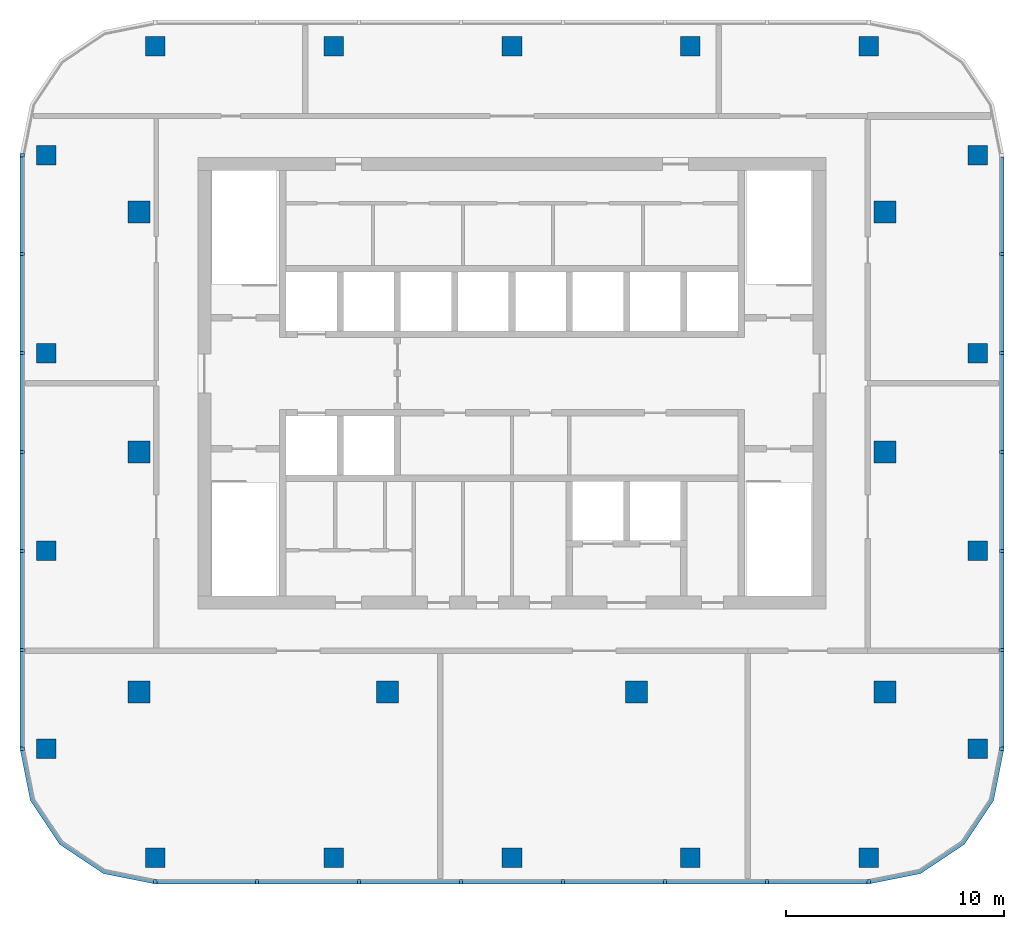
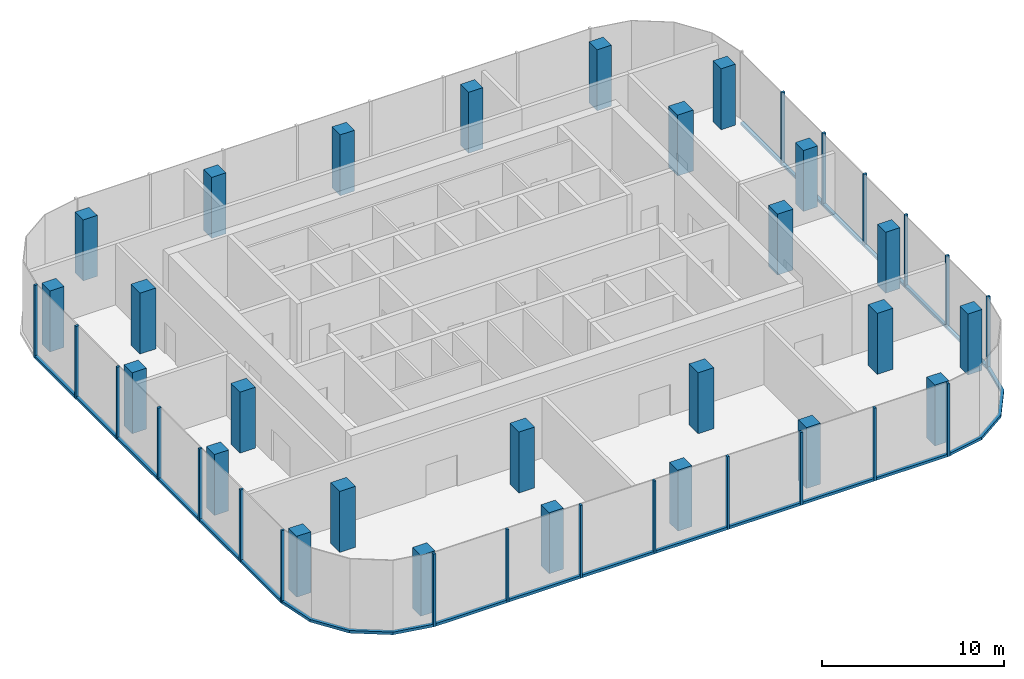
# One storey, part 1 of 6: 42 members, 26 columns, 5 elements without a shape of their own.
"""IFC4 building model written with IfcOpenShell, lengths in metres."""

from ifc_helpers import new_model, si_unit, direction, frame, origin, origin_2d, place, context, subcontext, project, spatial, polyline, rectangle, outline, extrude, material, material_profile, profile_set, type_object, element, aggregate, save


model = new_model("IFC4")

# Units and contexts
model_context = context("Model", 3, precision=1e-05, world=origin(), true_north=direction((0.0, 1.0)))
body_context = subcontext(model_context, "Body", "Model", "MODEL_VIEW")
ifc_project = project(units=[si_unit("LENGTHUNIT", "METRE"), si_unit("AREAUNIT", "SQUARE_METRE"), si_unit("VOLUMEUNIT", "CUBIC_METRE"), si_unit("PLANEANGLEUNIT", "RADIAN"), si_unit("MASSUNIT", "GRAM", prefix="KILO")], contexts=[model_context])

# Site, building, storey
site_placement = place(None, origin())
site = spatial("IfcSite", under=ifc_project, at=site_placement, CompositionType="ELEMENT")
building_placement = place(site_placement, origin())
building = spatial("IfcBuilding", under=site, at=building_placement, Name="Mopane Tessera Tower", CompositionType="ELEMENT")
storey_placement = place(building_placement, frame((0.0, 0.0, 357.39990234375)))
storey = spatial("IfcBuildingStorey", under=building, at=storey_placement, Name="Roof plant", CompositionType="ELEMENT", Elevation=357.39990234375)

# Columns
ifc_material_1 = material(Name="Concrete C40/50", Category="concrete")
ifc_material_profile_1 = material_profile(ifc_material_1, rectangle(XDim=1.0, YDim=1.0, at=origin_2d()))
ifc_profile_set_1 = profile_set([ifc_material_profile_1], Name="Concrete C40/50")
column_type_1 = type_object("IfcColumnType", Name="Interior column 1000 x 1000 C40/50", PredefinedType="COLUMN", material=ifc_profile_set_1)
for number, where, z_axis, x_axis, name in (
    (1, (-17.10009765625, -11.0, 0.0), (0.0, 0.0, 1.0), (1.0, 0.0, 0.0), "Interior column I1A Roof plant"),
    (2, (-17.10009765625, 0.0, 0.0), (0.0, 0.0, 1.0), (1.0, 0.0, 0.0), "Interior column I1B Roof plant"),
    (3, (-17.10009765625, 11.0, 0.0), (0.0, 0.0, 1.0), (1.0, 0.0, 0.0), "Interior column I1C Roof plant"),
    (4, (-5.699951171875, -11.0, 0.0), (0.0, 0.0, 1.0), (1.0, 0.0, 0.0), "Interior column I2A Roof plant"),
    (5, (5.699951171875, -11.0, 0.0), (0.0, 0.0, 1.0), (1.0, 0.0, 0.0), "Interior column I3A Roof plant"),
    (6, (17.10009765625, -11.0, 0.0), (0.0, 0.0, 1.0), (1.0, 0.0, 0.0), "Interior column I4A Roof plant"),
    (7, (17.10009765625, 0.0, 0.0), (0.0, 0.0, 1.0), (1.0, 0.0, 0.0), "Interior column I4B Roof plant"),
    (8, (17.10009765625, 11.0, 0.0), (0.0, 0.0, 1.0), (1.0, 0.0, 0.0), "Interior column I4C Roof plant"),
):
    element("IfcColumn", number, at=place(storey_placement, frame(where, z_axis=z_axis, x_axis=x_axis)), inside=storey, type_object=column_type_1, Name=name, PredefinedType="COLUMN", context=body_context, shape_type="SweptSolid", body=[
        extrude(rectangle(XDim=1.0, YDim=1.0, at=origin_2d()), origin(), (0.0, 0.0, 1.0), 4.10009765625),
    ])
ifc_material_2 = material(Name="Concrete C40/50", Category="concrete")
ifc_material_profile_2 = material_profile(ifc_material_2, rectangle(XDim=0.89990234375, YDim=0.89990234375, at=origin_2d()))
ifc_profile_set_2 = profile_set([ifc_material_profile_2], Name="Concrete C40/50")
column_type_2 = type_object("IfcColumnType", Name="Ring column 900 x 900 C40/50", PredefinedType="COLUMN", material=ifc_profile_set_2)
for number, where, z_axis, x_axis, name in (
    (9, (-16.35009765625, -18.60009765625, 0.0), (0.0, 0.0, 1.0), (1.0, 0.0, 0.0), "Ring column S0 Roof plant"),
    (10, (-8.175048828125, -18.60009765625, 0.0), (0.0, 0.0, 1.0), (1.0, 0.0, 0.0), "Ring column S1 Roof plant"),
    (11, (0.0, -18.60009765625, 0.0), (0.0, 0.0, 1.0), (1.0, 0.0, 0.0), "Ring column S2 Roof plant"),
    (12, (8.175048828125, -18.60009765625, 0.0), (0.0, 0.0, 1.0), (1.0, 0.0, 0.0), "Ring column S3 Roof plant"),
    (13, (16.35009765625, -18.60009765625, 0.0), (0.0, 0.0, 1.0), (1.0, 0.0, 0.0), "Ring column S4 Roof plant"),
    (14, (21.35009765625, -13.60009765625, 0.0), (0.0, 0.0, 1.0), (1.0, 0.0, 0.0), "Ring column E0 Roof plant"),
    (15, (21.35009765625, -4.533447265625, 0.0), (0.0, 0.0, 1.0), (1.0, 0.0, 0.0), "Ring column E1 Roof plant"),
    (16, (21.35009765625, 4.533447265625, 0.0), (0.0, 0.0, 1.0), (1.0, 0.0, 0.0), "Ring column E2 Roof plant"),
    (17, (21.35009765625, 13.60009765625, 0.0), (0.0, 0.0, 1.0), (1.0, 0.0, 0.0), "Ring column E3 Roof plant"),
    (18, (16.35009765625, 18.60009765625, 0.0), (0.0, 0.0, 1.0), (1.0, 0.0, 0.0), "Ring column N0 Roof plant"),
    (19, (8.175048828125, 18.60009765625, 0.0), (0.0, 0.0, 1.0), (1.0, 0.0, 0.0), "Ring column N1 Roof plant"),
    (20, (0.0, 18.60009765625, 0.0), (0.0, 0.0, 1.0), (1.0, 0.0, 0.0), "Ring column N2 Roof plant"),
    (21, (-8.175048828125, 18.60009765625, 0.0), (0.0, 0.0, 1.0), (1.0, 0.0, 0.0), "Ring column N3 Roof plant"),
    (22, (-16.35009765625, 18.60009765625, 0.0), (0.0, 0.0, 1.0), (1.0, 0.0, 0.0), "Ring column N4 Roof plant"),
    (23, (-21.35009765625, 13.60009765625, 0.0), (0.0, 0.0, 1.0), (1.0, 0.0, 0.0), "Ring column W0 Roof plant"),
    (24, (-21.35009765625, 4.533447265625, 0.0), (0.0, 0.0, 1.0), (1.0, 0.0, 0.0), "Ring column W1 Roof plant"),
    (25, (-21.35009765625, -4.533447265625, 0.0), (0.0, 0.0, 1.0), (1.0, 0.0, 0.0), "Ring column W2 Roof plant"),
    (26, (-21.35009765625, -13.60009765625, 0.0), (0.0, 0.0, 1.0), (1.0, 0.0, 0.0), "Ring column W3 Roof plant"),
):
    element("IfcColumn", number, at=place(storey_placement, frame(where, z_axis=z_axis, x_axis=x_axis)), inside=storey, type_object=column_type_2, Name=name, PredefinedType="COLUMN", context=body_context, shape_type="SweptSolid", body=[
        extrude(rectangle(XDim=0.89990234375, YDim=0.89990234375, at=origin_2d()), origin(), (0.0, 0.0, 1.0), 4.10009765625),
    ])

# Curtain wall, members
ifc_material_3 = material(Name="Aluminium frame", Category="aluminium")
curtain_wall_type = type_object("IfcCurtainWallType", Name="Plant floor unitised wall", PredefinedType="NOTDEFINED", material=ifc_material_3)
curtain_wall_1_placement = place(storey_placement, origin())
curtain_wall_1 = element("IfcCurtainWall", 27, at=curtain_wall_1_placement, inside=storey, type_object=curtain_wall_type, Name="e:cw:Roof plant:S:0", PredefinedType="NOTDEFINED")
ifc_material_4 = material(Name="Aluminium frame", Category="aluminium")
ifc_material_profile_3 = material_profile(ifc_material_4, rectangle(XDim=0.139892578125, YDim=0.199951171875, at=origin_2d()))
ifc_profile_set_3 = profile_set([ifc_material_profile_3], Name="Aluminium frame")
member_type_1 = type_object("IfcMemberType", Name="Aluminium mullion 140 x 200", PredefinedType="MULLION", material=ifc_profile_set_3)
member_1_placement = place(storey_placement, frame((-16.35009765625, -19.699951171875, -0.39990234375), z_axis=(0.0, 0.0, 1.0), x_axis=(1.0, 0.0, 0.0)))
member_1 = element("IfcMember", 28, at=member_1_placement, type_object=member_type_1, Name="e:cw:Roof plant:S:0:mu0", PredefinedType="MULLION", context=body_context, shape_type="SweptSolid", body=[
    extrude(rectangle(XDim=0.139892578125, YDim=0.199951171875, at=origin_2d()), origin(), (0.0, 0.0, 1.0), 4.89990234375),
])
member_2_placement = place(storey_placement, frame((-11.678466796875, -19.699951171875, -0.39990234375), z_axis=(0.0, 0.0, 1.0), x_axis=(1.0, 0.0, 0.0)))
member_2 = element("IfcMember", 29, at=member_2_placement, type_object=member_type_1, Name="e:cw:Roof plant:S:0:mu1", PredefinedType="MULLION", context=body_context, shape_type="SweptSolid", body=[
    extrude(rectangle(XDim=0.139892578125, YDim=0.199951171875, at=origin_2d()), origin(), (0.0, 0.0, 1.0), 4.89990234375),
])
member_3_placement = place(storey_placement, frame((-7.007080078125, -19.699951171875, -0.39990234375), z_axis=(0.0, 0.0, 1.0), x_axis=(1.0, 0.0, 0.0)))
member_3 = element("IfcMember", 30, at=member_3_placement, type_object=member_type_1, Name="e:cw:Roof plant:S:0:mu2", PredefinedType="MULLION", context=body_context, shape_type="SweptSolid", body=[
    extrude(rectangle(XDim=0.139892578125, YDim=0.199951171875, at=origin_2d()), origin(), (0.0, 0.0, 1.0), 4.89990234375),
])
member_4_placement = place(storey_placement, frame((-2.335693359375, -19.699951171875, -0.39990234375), z_axis=(0.0, 0.0, 1.0), x_axis=(1.0, 0.0, 0.0)))
member_4 = element("IfcMember", 31, at=member_4_placement, type_object=member_type_1, Name="e:cw:Roof plant:S:0:mu3", PredefinedType="MULLION", context=body_context, shape_type="SweptSolid", body=[
    extrude(rectangle(XDim=0.139892578125, YDim=0.199951171875, at=origin_2d()), origin(), (0.0, 0.0, 1.0), 4.89990234375),
])
member_5_placement = place(storey_placement, frame((2.335693359375, -19.699951171875, -0.39990234375), z_axis=(0.0, 0.0, 1.0), x_axis=(1.0, 0.0, 0.0)))
member_5 = element("IfcMember", 32, at=member_5_placement, type_object=member_type_1, Name="e:cw:Roof plant:S:0:mu4", PredefinedType="MULLION", context=body_context, shape_type="SweptSolid", body=[
    extrude(rectangle(XDim=0.139892578125, YDim=0.199951171875, at=origin_2d()), origin(), (0.0, 0.0, 1.0), 4.89990234375),
])
member_6_placement = place(storey_placement, frame((7.007080078125, -19.699951171875, -0.39990234375), z_axis=(0.0, 0.0, 1.0), x_axis=(1.0, 0.0, 0.0)))
member_6 = element("IfcMember", 33, at=member_6_placement, type_object=member_type_1, Name="e:cw:Roof plant:S:0:mu5", PredefinedType="MULLION", context=body_context, shape_type="SweptSolid", body=[
    extrude(rectangle(XDim=0.139892578125, YDim=0.199951171875, at=origin_2d()), origin(), (0.0, 0.0, 1.0), 4.89990234375),
])
member_7_placement = place(storey_placement, frame((11.678466796875, -19.699951171875, -0.39990234375), z_axis=(0.0, 0.0, 1.0), x_axis=(1.0, 0.0, 0.0)))
member_7 = element("IfcMember", 34, at=member_7_placement, type_object=member_type_1, Name="e:cw:Roof plant:S:0:mu6", PredefinedType="MULLION", context=body_context, shape_type="SweptSolid", body=[
    extrude(rectangle(XDim=0.139892578125, YDim=0.199951171875, at=origin_2d()), origin(), (0.0, 0.0, 1.0), 4.89990234375),
])
member_8_placement = place(storey_placement, frame((16.35009765625, -19.699951171875, -0.39990234375), z_axis=(0.0, 0.0, 1.0), x_axis=(1.0, 0.0, 0.0)))
member_8 = element("IfcMember", 35, at=member_8_placement, type_object=member_type_1, Name="e:cw:Roof plant:S:0:mu7", PredefinedType="MULLION", context=body_context, shape_type="SweptSolid", body=[
    extrude(rectangle(XDim=0.139892578125, YDim=0.199951171875, at=origin_2d()), origin(), (0.0, 0.0, 1.0), 4.89990234375),
])

curtain_wall_2_placement = place(storey_placement, origin())
curtain_wall_2 = element("IfcCurtainWall", 36, at=curtain_wall_2_placement, inside=storey, type_object=curtain_wall_type, Name="e:cw:Roof plant:E:0", PredefinedType="NOTDEFINED")
member_9_placement = place(storey_placement, frame((22.449951171875, -13.60009765625, -0.39990234375), z_axis=(0.0, 0.0, 1.0), x_axis=(0.0, 1.0, 0.0)))
member_9 = element("IfcMember", 37, at=member_9_placement, type_object=member_type_1, Name="e:cw:Roof plant:E:0:mu0", PredefinedType="MULLION", context=body_context, shape_type="SweptSolid", body=[
    extrude(rectangle(XDim=0.139892578125, YDim=0.199951171875, at=origin_2d()), origin(), (0.0, 0.0, 1.0), 4.89990234375),
])
member_10_placement = place(storey_placement, frame((22.449951171875, -9.066650390625, -0.39990234375), z_axis=(0.0, 0.0, 1.0), x_axis=(0.0, 1.0, 0.0)))
member_10 = element("IfcMember", 38, at=member_10_placement, type_object=member_type_1, Name="e:cw:Roof plant:E:0:mu1", PredefinedType="MULLION", context=body_context, shape_type="SweptSolid", body=[
    extrude(rectangle(XDim=0.139892578125, YDim=0.199951171875, at=origin_2d()), origin(), (0.0, 0.0, 1.0), 4.89990234375),
])
member_11_placement = place(storey_placement, frame((22.449951171875, -4.533447265625, -0.39990234375), z_axis=(0.0, 0.0, 1.0), x_axis=(0.0, 1.0, 0.0)))
member_11 = element("IfcMember", 39, at=member_11_placement, type_object=member_type_1, Name="e:cw:Roof plant:E:0:mu2", PredefinedType="MULLION", context=body_context, shape_type="SweptSolid", body=[
    extrude(rectangle(XDim=0.139892578125, YDim=0.199951171875, at=origin_2d()), origin(), (0.0, 0.0, 1.0), 4.89990234375),
])
member_12_placement = place(storey_placement, frame((22.449951171875, 0.0, -0.39990234375), z_axis=(0.0, 0.0, 1.0), x_axis=(0.0, 1.0, 0.0)))
member_12 = element("IfcMember", 40, at=member_12_placement, type_object=member_type_1, Name="e:cw:Roof plant:E:0:mu3", PredefinedType="MULLION", context=body_context, shape_type="SweptSolid", body=[
    extrude(rectangle(XDim=0.139892578125, YDim=0.199951171875, at=origin_2d()), origin(), (0.0, 0.0, 1.0), 4.89990234375),
])
member_13_placement = place(storey_placement, frame((22.449951171875, 4.533447265625, -0.39990234375), z_axis=(0.0, 0.0, 1.0), x_axis=(0.0, 1.0, 0.0)))
member_13 = element("IfcMember", 41, at=member_13_placement, type_object=member_type_1, Name="e:cw:Roof plant:E:0:mu4", PredefinedType="MULLION", context=body_context, shape_type="SweptSolid", body=[
    extrude(rectangle(XDim=0.139892578125, YDim=0.199951171875, at=origin_2d()), origin(), (0.0, 0.0, 1.0), 4.89990234375),
])
member_14_placement = place(storey_placement, frame((22.449951171875, 9.066650390625, -0.39990234375), z_axis=(0.0, 0.0, 1.0), x_axis=(0.0, 1.0, 0.0)))
member_14 = element("IfcMember", 42, at=member_14_placement, type_object=member_type_1, Name="e:cw:Roof plant:E:0:mu5", PredefinedType="MULLION", context=body_context, shape_type="SweptSolid", body=[
    extrude(rectangle(XDim=0.139892578125, YDim=0.199951171875, at=origin_2d()), origin(), (0.0, 0.0, 1.0), 4.89990234375),
])

curtain_wall_3_placement = place(storey_placement, origin())
curtain_wall_3 = element("IfcCurtainWall", 43, at=curtain_wall_3_placement, inside=storey, type_object=curtain_wall_type, Name="e:cw:Roof plant:W:0", PredefinedType="NOTDEFINED")
member_15_placement = place(storey_placement, frame((-22.449951171875, 13.60009765625, -0.39990234375), z_axis=(0.0, 0.0, 1.0), x_axis=(0.0, -1.0, 0.0)))
member_15 = element("IfcMember", 44, at=member_15_placement, type_object=member_type_1, Name="e:cw:Roof plant:W:0:mu0", PredefinedType="MULLION", context=body_context, shape_type="SweptSolid", body=[
    extrude(rectangle(XDim=0.139892578125, YDim=0.199951171875, at=origin_2d()), origin(), (0.0, 0.0, 1.0), 4.89990234375),
])
member_16_placement = place(storey_placement, frame((-22.449951171875, 9.066650390625, -0.39990234375), z_axis=(0.0, 0.0, 1.0), x_axis=(0.0, -1.0, 0.0)))
member_16 = element("IfcMember", 45, at=member_16_placement, type_object=member_type_1, Name="e:cw:Roof plant:W:0:mu1", PredefinedType="MULLION", context=body_context, shape_type="SweptSolid", body=[
    extrude(rectangle(XDim=0.139892578125, YDim=0.199951171875, at=origin_2d()), origin(), (0.0, 0.0, 1.0), 4.89990234375),
])
member_17_placement = place(storey_placement, frame((-22.449951171875, 4.533447265625, -0.39990234375), z_axis=(0.0, 0.0, 1.0), x_axis=(0.0, -1.0, 0.0)))
member_17 = element("IfcMember", 46, at=member_17_placement, type_object=member_type_1, Name="e:cw:Roof plant:W:0:mu2", PredefinedType="MULLION", context=body_context, shape_type="SweptSolid", body=[
    extrude(rectangle(XDim=0.139892578125, YDim=0.199951171875, at=origin_2d()), origin(), (0.0, 0.0, 1.0), 4.89990234375),
])
member_18_placement = place(storey_placement, frame((-22.449951171875, 0.0, -0.39990234375), z_axis=(0.0, 0.0, 1.0), x_axis=(0.0, -1.0, 0.0)))
member_18 = element("IfcMember", 47, at=member_18_placement, type_object=member_type_1, Name="e:cw:Roof plant:W:0:mu3", PredefinedType="MULLION", context=body_context, shape_type="SweptSolid", body=[
    extrude(rectangle(XDim=0.139892578125, YDim=0.199951171875, at=origin_2d()), origin(), (0.0, 0.0, 1.0), 4.89990234375),
])
member_19_placement = place(storey_placement, frame((-22.449951171875, -4.533447265625, -0.39990234375), z_axis=(0.0, 0.0, 1.0), x_axis=(0.0, -1.0, 0.0)))
member_19 = element("IfcMember", 48, at=member_19_placement, type_object=member_type_1, Name="e:cw:Roof plant:W:0:mu4", PredefinedType="MULLION", context=body_context, shape_type="SweptSolid", body=[
    extrude(rectangle(XDim=0.139892578125, YDim=0.199951171875, at=origin_2d()), origin(), (0.0, 0.0, 1.0), 4.89990234375),
])
member_20_placement = place(storey_placement, frame((-22.449951171875, -9.066650390625, -0.39990234375), z_axis=(0.0, 0.0, 1.0), x_axis=(0.0, -1.0, 0.0)))
member_20 = element("IfcMember", 49, at=member_20_placement, type_object=member_type_1, Name="e:cw:Roof plant:W:0:mu5", PredefinedType="MULLION", context=body_context, shape_type="SweptSolid", body=[
    extrude(rectangle(XDim=0.139892578125, YDim=0.199951171875, at=origin_2d()), origin(), (0.0, 0.0, 1.0), 4.89990234375),
])
member_21_placement = place(storey_placement, frame((-22.449951171875, -13.60009765625, -0.39990234375), z_axis=(0.0, 0.0, 1.0), x_axis=(0.0, -1.0, 0.0)))
member_21 = element("IfcMember", 50, at=member_21_placement, type_object=member_type_1, Name="e:cw:Roof plant:W:0:mu6", PredefinedType="MULLION", context=body_context, shape_type="SweptSolid", body=[
    extrude(rectangle(XDim=0.139892578125, YDim=0.199951171875, at=origin_2d()), origin(), (0.0, 0.0, 1.0), 4.89990234375),
])

# Member
ifc_material_5 = material(Name="Aluminium frame", Category="aluminium")
ifc_material_profile_4 = material_profile(ifc_material_5, rectangle(XDim=0.199951171875, YDim=0.179931640625, at=origin_2d()))
ifc_profile_set_4 = profile_set([ifc_material_profile_4], Name="Aluminium frame")
member_type_2 = type_object("IfcMemberType", Name="Aluminium transom 200 x 180", PredefinedType="USERDEFINED", material=ifc_profile_set_4)
member_22_placement = place(storey_placement, frame((-16.280029296875, -19.699951171875, -0.309814453125), z_axis=(1.0, 0.0, 0.0), x_axis=(0.0, 1.0, 0.0)))
member_22 = element("IfcMember", 51, at=member_22_placement, type_object=member_type_2, Name="e:cw:Roof plant:S:0:tr0", ObjectType="TRANSOM", PredefinedType="USERDEFINED", context=body_context, shape_type="SweptSolid", body=[
    extrude(rectangle(XDim=0.199951171875, YDim=0.179931640625, at=origin_2d()), origin(), (0.0, 0.0, 1.0), 4.531494140625),
])

member_23_placement = place(storey_placement, frame((-11.608642578125, -19.699951171875, -0.309814453125), z_axis=(1.0, 0.0, 0.0), x_axis=(0.0, 1.0, 0.0)))
member_23 = element("IfcMember", 52, at=member_23_placement, type_object=member_type_2, Name="e:cw:Roof plant:S:0:tr1", ObjectType="TRANSOM", PredefinedType="USERDEFINED", context=body_context, shape_type="SweptSolid", body=[
    extrude(rectangle(XDim=0.199951171875, YDim=0.179931640625, at=origin_2d()), origin(), (0.0, 0.0, 1.0), 4.531494140625),
])

member_24_placement = place(storey_placement, frame((-6.937255859375, -19.699951171875, -0.309814453125), z_axis=(1.0, 0.0, 0.0), x_axis=(0.0, 1.0, 0.0)))
member_24 = element("IfcMember", 53, at=member_24_placement, type_object=member_type_2, Name="e:cw:Roof plant:S:0:tr2", ObjectType="TRANSOM", PredefinedType="USERDEFINED", context=body_context, shape_type="SweptSolid", body=[
    extrude(rectangle(XDim=0.199951171875, YDim=0.179931640625, at=origin_2d()), origin(), (0.0, 0.0, 1.0), 4.531494140625),
])

member_25_placement = place(storey_placement, frame((-2.265625, -19.699951171875, -0.309814453125), z_axis=(1.0, 0.0, 0.0), x_axis=(0.0, 1.0, 0.0)))
member_25 = element("IfcMember", 54, at=member_25_placement, type_object=member_type_2, Name="e:cw:Roof plant:S:0:tr3", ObjectType="TRANSOM", PredefinedType="USERDEFINED", context=body_context, shape_type="SweptSolid", body=[
    extrude(rectangle(XDim=0.199951171875, YDim=0.179931640625, at=origin_2d()), origin(), (0.0, 0.0, 1.0), 4.53125),
])

member_26_placement = place(storey_placement, frame((2.40576171875, -19.699951171875, -0.309814453125), z_axis=(1.0, 0.0, 0.0), x_axis=(0.0, 1.0, 0.0)))
member_26 = element("IfcMember", 55, at=member_26_placement, type_object=member_type_2, Name="e:cw:Roof plant:S:0:tr4", ObjectType="TRANSOM", PredefinedType="USERDEFINED", context=body_context, shape_type="SweptSolid", body=[
    extrude(rectangle(XDim=0.199951171875, YDim=0.179931640625, at=origin_2d()), origin(), (0.0, 0.0, 1.0), 4.531494140625),
])

member_27_placement = place(storey_placement, frame((7.0771484375, -19.699951171875, -0.309814453125), z_axis=(1.0, 0.0, 0.0), x_axis=(0.0, 1.0, 0.0)))
member_27 = element("IfcMember", 56, at=member_27_placement, type_object=member_type_2, Name="e:cw:Roof plant:S:0:tr5", ObjectType="TRANSOM", PredefinedType="USERDEFINED", context=body_context, shape_type="SweptSolid", body=[
    extrude(rectangle(XDim=0.199951171875, YDim=0.179931640625, at=origin_2d()), origin(), (0.0, 0.0, 1.0), 4.531494140625),
])

member_28_placement = place(storey_placement, frame((11.74853515625, -19.699951171875, -0.309814453125), z_axis=(1.0, 0.0, 0.0), x_axis=(0.0, 1.0, 0.0)))
member_28 = element("IfcMember", 57, at=member_28_placement, type_object=member_type_2, Name="e:cw:Roof plant:S:0:tr6", ObjectType="TRANSOM", PredefinedType="USERDEFINED", context=body_context, shape_type="SweptSolid", body=[
    extrude(rectangle(XDim=0.199951171875, YDim=0.179931640625, at=origin_2d()), origin(), (0.0, 0.0, 1.0), 4.531494140625),
])

aggregate(curtain_wall_1, [member_1, member_2, member_3, member_4, member_5, member_6, member_7, member_8, member_22, member_23, member_24, member_25, member_26, member_27, member_28])

# Curtain wall, member
curtain_wall_4_placement = place(storey_placement, origin())
curtain_wall_4 = element("IfcCurtainWall", 58, at=curtain_wall_4_placement, inside=storey, type_object=curtain_wall_type, Name="e:cw:Roof plant:CS", PredefinedType="NOTDEFINED")
member_29_placement = place(storey_placement, frame((0.0, 0.0, -0.39990234375)))
member_29 = element("IfcMember", 59, at=member_29_placement, type_object=member_type_2, Name="e:cw:Roof plant:CS:tr", ObjectType="TRANSOM", PredefinedType="USERDEFINED", context=body_context, shape_type="SweptSolid", body=[
    extrude(outline(polyline([(16.35009765625, -19.60009765625), (18.64599609375, -19.143310546875), (20.592529296875, -17.842529296875), (21.893310546875, -15.89599609375), (22.35009765625, -13.60009765625), (22.550048828125, -13.60009765625), (22.078125, -15.97265625), (20.734130859375, -17.984130859375), (18.72265625, -19.328125), (16.35009765625, -19.800048828125), (16.35009765625, -19.60009765625)])), origin(), (0.0, 0.0, 1.0), 0.179931640625),
])
aggregate(curtain_wall_4, [member_29])

# Member
member_30_placement = place(storey_placement, frame((22.449951171875, -13.530029296875, -0.309814453125), z_axis=(0.0, 1.0, 0.0), x_axis=(-1.0, 0.0, 0.0)))
member_30 = element("IfcMember", 60, at=member_30_placement, type_object=member_type_2, Name="e:cw:Roof plant:E:0:tr0", ObjectType="TRANSOM", PredefinedType="USERDEFINED", context=body_context, shape_type="SweptSolid", body=[
    extrude(rectangle(XDim=0.199951171875, YDim=0.179931640625, at=origin_2d()), origin(), (0.0, 0.0, 1.0), 4.393310546875),
])

member_31_placement = place(storey_placement, frame((22.449951171875, -8.99658203125, -0.309814453125), z_axis=(0.0, 1.0, 0.0), x_axis=(-1.0, 0.0, 0.0)))
member_31 = element("IfcMember", 61, at=member_31_placement, type_object=member_type_2, Name="e:cw:Roof plant:E:0:tr1", ObjectType="TRANSOM", PredefinedType="USERDEFINED", context=body_context, shape_type="SweptSolid", body=[
    extrude(rectangle(XDim=0.199951171875, YDim=0.179931640625, at=origin_2d()), origin(), (0.0, 0.0, 1.0), 4.393310546875),
])

member_32_placement = place(storey_placement, frame((22.449951171875, -4.46337890625, -0.309814453125), z_axis=(0.0, 1.0, 0.0), x_axis=(-1.0, 0.0, 0.0)))
member_32 = element("IfcMember", 62, at=member_32_placement, type_object=member_type_2, Name="e:cw:Roof plant:E:0:tr2", ObjectType="TRANSOM", PredefinedType="USERDEFINED", context=body_context, shape_type="SweptSolid", body=[
    extrude(rectangle(XDim=0.199951171875, YDim=0.179931640625, at=origin_2d()), origin(), (0.0, 0.0, 1.0), 4.393310546875),
])

member_33_placement = place(storey_placement, frame((22.449951171875, 0.070068359375, -0.309814453125), z_axis=(0.0, 1.0, 0.0), x_axis=(-1.0, 0.0, 0.0)))
member_33 = element("IfcMember", 63, at=member_33_placement, type_object=member_type_2, Name="e:cw:Roof plant:E:0:tr3", ObjectType="TRANSOM", PredefinedType="USERDEFINED", context=body_context, shape_type="SweptSolid", body=[
    extrude(rectangle(XDim=0.199951171875, YDim=0.179931640625, at=origin_2d()), origin(), (0.0, 0.0, 1.0), 4.393310546875),
])

member_34_placement = place(storey_placement, frame((22.449951171875, 4.603271484375, -0.309814453125), z_axis=(0.0, 1.0, 0.0), x_axis=(-1.0, 0.0, 0.0)))
member_34 = element("IfcMember", 64, at=member_34_placement, type_object=member_type_2, Name="e:cw:Roof plant:E:0:tr4", ObjectType="TRANSOM", PredefinedType="USERDEFINED", context=body_context, shape_type="SweptSolid", body=[
    extrude(rectangle(XDim=0.199951171875, YDim=0.179931640625, at=origin_2d()), origin(), (0.0, 0.0, 1.0), 4.393310546875),
])

member_35_placement = place(storey_placement, frame((22.449951171875, 9.13671875, -0.309814453125), z_axis=(0.0, 1.0, 0.0), x_axis=(-1.0, 0.0, 0.0)))
member_35 = element("IfcMember", 65, at=member_35_placement, type_object=member_type_2, Name="e:cw:Roof plant:E:0:tr5", ObjectType="TRANSOM", PredefinedType="USERDEFINED", context=body_context, shape_type="SweptSolid", body=[
    extrude(rectangle(XDim=0.199951171875, YDim=0.179931640625, at=origin_2d()), origin(), (0.0, 0.0, 1.0), 4.393310546875),
])

aggregate(curtain_wall_2, [member_9, member_10, member_11, member_12, member_13, member_14, member_30, member_31, member_32, member_33, member_34, member_35])

member_36_placement = place(storey_placement, frame((-22.449951171875, 13.530029296875, -0.309814453125), z_axis=(0.0, -1.0, 0.0), x_axis=(1.0, 0.0, 0.0)))
member_36 = element("IfcMember", 66, at=member_36_placement, type_object=member_type_2, Name="e:cw:Roof plant:W:0:tr0", ObjectType="TRANSOM", PredefinedType="USERDEFINED", context=body_context, shape_type="SweptSolid", body=[
    extrude(rectangle(XDim=0.199951171875, YDim=0.179931640625, at=origin_2d()), origin(), (0.0, 0.0, 1.0), 4.393310546875),
])

member_37_placement = place(storey_placement, frame((-22.449951171875, 8.99658203125, -0.309814453125), z_axis=(0.0, -1.0, 0.0), x_axis=(1.0, 0.0, 0.0)))
member_37 = element("IfcMember", 67, at=member_37_placement, type_object=member_type_2, Name="e:cw:Roof plant:W:0:tr1", ObjectType="TRANSOM", PredefinedType="USERDEFINED", context=body_context, shape_type="SweptSolid", body=[
    extrude(rectangle(XDim=0.199951171875, YDim=0.179931640625, at=origin_2d()), origin(), (0.0, 0.0, 1.0), 4.393310546875),
])

member_38_placement = place(storey_placement, frame((-22.449951171875, 4.46337890625, -0.309814453125), z_axis=(0.0, -1.0, 0.0), x_axis=(1.0, 0.0, 0.0)))
member_38 = element("IfcMember", 68, at=member_38_placement, type_object=member_type_2, Name="e:cw:Roof plant:W:0:tr2", ObjectType="TRANSOM", PredefinedType="USERDEFINED", context=body_context, shape_type="SweptSolid", body=[
    extrude(rectangle(XDim=0.199951171875, YDim=0.179931640625, at=origin_2d()), origin(), (0.0, 0.0, 1.0), 4.393310546875),
])

member_39_placement = place(storey_placement, frame((-22.449951171875, -0.070068359375, -0.309814453125), z_axis=(0.0, -1.0, 0.0), x_axis=(1.0, 0.0, 0.0)))
member_39 = element("IfcMember", 69, at=member_39_placement, type_object=member_type_2, Name="e:cw:Roof plant:W:0:tr3", ObjectType="TRANSOM", PredefinedType="USERDEFINED", context=body_context, shape_type="SweptSolid", body=[
    extrude(rectangle(XDim=0.199951171875, YDim=0.179931640625, at=origin_2d()), origin(), (0.0, 0.0, 1.0), 4.393310546875),
])

member_40_placement = place(storey_placement, frame((-22.449951171875, -4.603271484375, -0.309814453125), z_axis=(0.0, -1.0, 0.0), x_axis=(1.0, 0.0, 0.0)))
member_40 = element("IfcMember", 70, at=member_40_placement, type_object=member_type_2, Name="e:cw:Roof plant:W:0:tr4", ObjectType="TRANSOM", PredefinedType="USERDEFINED", context=body_context, shape_type="SweptSolid", body=[
    extrude(rectangle(XDim=0.199951171875, YDim=0.179931640625, at=origin_2d()), origin(), (0.0, 0.0, 1.0), 4.393310546875),
])

member_41_placement = place(storey_placement, frame((-22.449951171875, -9.13671875, -0.309814453125), z_axis=(0.0, -1.0, 0.0), x_axis=(1.0, 0.0, 0.0)))
member_41 = element("IfcMember", 71, at=member_41_placement, type_object=member_type_2, Name="e:cw:Roof plant:W:0:tr5", ObjectType="TRANSOM", PredefinedType="USERDEFINED", context=body_context, shape_type="SweptSolid", body=[
    extrude(rectangle(XDim=0.199951171875, YDim=0.179931640625, at=origin_2d()), origin(), (0.0, 0.0, 1.0), 4.393310546875),
])

aggregate(curtain_wall_3, [member_15, member_16, member_17, member_18, member_19, member_20, member_21, member_36, member_37, member_38, member_39, member_40, member_41])

# Curtain wall, member
curtain_wall_5_placement = place(storey_placement, origin())
curtain_wall_5 = element("IfcCurtainWall", 72, at=curtain_wall_5_placement, inside=storey, type_object=curtain_wall_type, Name="e:cw:Roof plant:CW", PredefinedType="NOTDEFINED")
member_42_placement = place(storey_placement, frame((0.0, 0.0, -0.39990234375)))
member_42 = element("IfcMember", 73, at=member_42_placement, type_object=member_type_2, Name="e:cw:Roof plant:CW:tr", ObjectType="TRANSOM", PredefinedType="USERDEFINED", context=body_context, shape_type="SweptSolid", body=[
    extrude(outline(polyline([(-22.35009765625, -13.60009765625), (-21.893310546875, -15.89599609375), (-20.592529296875, -17.842529296875), (-18.64599609375, -19.143310546875), (-16.35009765625, -19.60009765625), (-16.35009765625, -19.800048828125), (-18.72265625, -19.328125), (-20.734130859375, -17.984130859375), (-22.078125, -15.97265625), (-22.550048828125, -13.60009765625), (-22.35009765625, -13.60009765625)])), origin(), (0.0, 0.0, 1.0), 0.179931640625),
])
aggregate(curtain_wall_5, [member_42])

save(model, "model.ifc")
